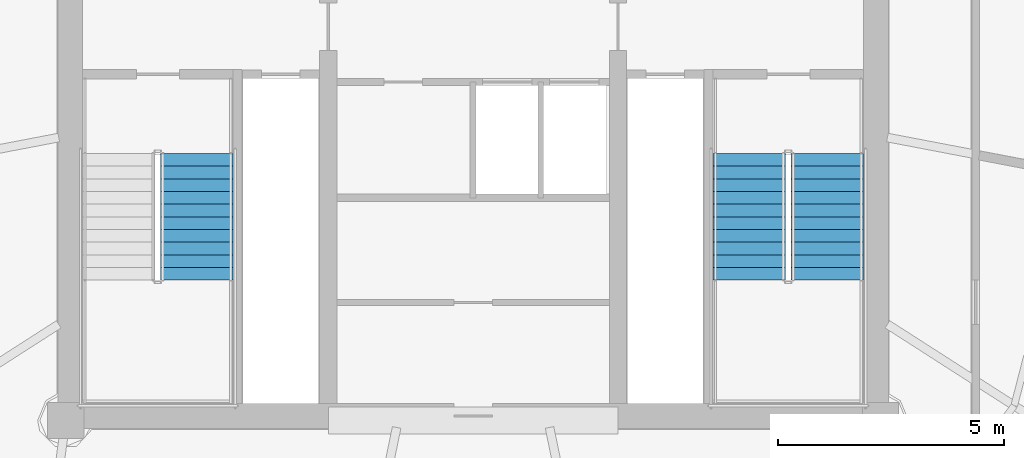
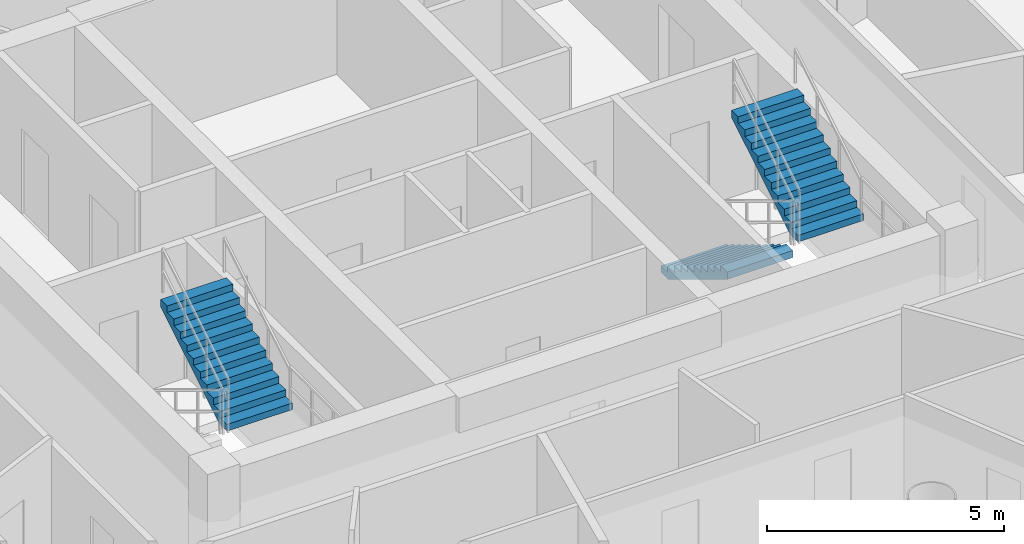
# One storey, part 20 of 23: 3 stair flights, 2 elements without a shape of their own.
"""IFC4 building model written with IfcOpenShell, lengths in metres."""

from ifc_helpers import new_model, si_unit, direction, frame, origin, place, context, subcontext, project, spatial, polyline, outline, extrude, material, type_object, element, aggregate, save


model = new_model("IFC4")

# Units and contexts
model_context = context("Model", 3, precision=1e-05, world=origin(), true_north=direction((-0.2419218956, 0.970295726276)))
body_context = subcontext(model_context, "Body", "Model", "MODEL_VIEW")
ifc_project = project(units=[si_unit("LENGTHUNIT", "METRE"), si_unit("AREAUNIT", "SQUARE_METRE"), si_unit("VOLUMEUNIT", "CUBIC_METRE"), si_unit("PLANEANGLEUNIT", "RADIAN"), si_unit("MASSUNIT", "GRAM", prefix="KILO")], contexts=[model_context])

# Site, building, storey
site_placement = place(None, origin())
site = spatial("IfcSite", under=ifc_project, at=site_placement, CompositionType="ELEMENT")
building_placement = place(site_placement, origin())
building = spatial("IfcBuilding", under=site, at=building_placement, Name="Cobrevalo Terracotta Tower", CompositionType="ELEMENT")
storey_placement = place(building_placement, frame((0.0, 0.0, 266.949951171875)))
storey = spatial("IfcBuildingStorey", under=building, at=storey_placement, Name="L70", CompositionType="ELEMENT", Elevation=266.949951171875)

# Stair, stair flight
ifc_material = material(Name="Concrete C50", Category="concrete")
stair_type = type_object("IfcStairType", Name="Core protected escape dogleg stair 1600", PredefinedType="HALF_TURN_STAIR", material=ifc_material)
stair_1_placement = place(storey_placement, origin())
stair_1 = element("IfcStair", 1, at=stair_1_placement, inside=storey, type_object=stair_type, Name="L70 Protected exit stair ST-1", PredefinedType="HALF_TURN_STAIR")
stair_flight_type = type_object("IfcStairFlightType", Name="Core protected escape dogleg stair 1600 flight", PredefinedType="STRAIGHT", material=ifc_material)
stair_flight_1_placement = place(storey_placement, frame((31.89501953125, 21.89990234375, 1.875), z_axis=(0.0, 0.0, 1.0), x_axis=(0.0, 1.0, 0.0)))
stair_flight_1 = element("IfcStairFlight", 2, at=stair_flight_1_placement, type_object=stair_flight_type, Name="ST-1 flight 2", NumberOfRisers=11, NumberOfTreads=10, PredefinedType="STRAIGHT", RiserHeight=0.170454545, TreadLength=0.28, context=body_context, shape_type="SweptSolid", body=[
    extrude(outline(polyline([(0.0, 0.0), (0.0, 0.17041015625), (0.280029296875, 0.17041015625), (0.280029296875, 0.3408203125), (0.56005859375, 0.3408203125), (0.56005859375, 0.511474609375), (0.840087890625, 0.511474609375), (0.840087890625, 0.681884765625), (1.1201171875, 0.681884765625), (1.1201171875, 0.852294921875), (1.39990234375, 0.852294921875), (1.39990234375, 1.022705078125), (1.679931640625, 1.022705078125), (1.679931640625, 1.193115234375), (1.9599609375, 1.193115234375), (1.9599609375, 1.363525390625), (2.239990234375, 1.363525390625), (2.239990234375, 1.5341796875), (2.52001953125, 1.5341796875), (2.52001953125, 1.70458984375), (2.800048828125, 1.70458984375), (2.800048828125, 1.875), (2.800048828125, 1.517333984375), (0.3076171875, 0.0), (0.0, 0.0)])), frame((0.0, 0.800048828125, 0.0), z_axis=(0.0, -1.0, 0.0), x_axis=(1.0, 0.0, 0.0)), (0.0, 0.0, 1.0), 1.60009765625),
])
aggregate(stair_1, [stair_flight_1])

# Stair, stair flights
stair_2_placement = place(storey_placement, origin())
stair_2 = element("IfcStair", 3, at=stair_2_placement, inside=storey, type_object=stair_type, Name="L70 Protected exit stair ST-2", PredefinedType="HALF_TURN_STAIR")
stair_flight_2_placement = place(storey_placement, frame((44.10498046875, 24.699951171875, 0.0), z_axis=(0.0, 0.0, 1.0), x_axis=(0.0, -1.0, 0.0)))
stair_flight_2 = element("IfcStairFlight", 4, at=stair_flight_2_placement, type_object=stair_flight_type, Name="ST-2 flight 1", NumberOfRisers=11, NumberOfTreads=10, PredefinedType="STRAIGHT", RiserHeight=0.170454545, TreadLength=0.28, context=body_context, shape_type="SweptSolid", body=[
    extrude(outline(polyline([(0.0, 0.0), (0.0, 0.17041015625), (0.280029296875, 0.17041015625), (0.280029296875, 0.3408203125), (0.56005859375, 0.3408203125), (0.56005859375, 0.511474609375), (0.840087890625, 0.511474609375), (0.840087890625, 0.681884765625), (1.1201171875, 0.681884765625), (1.1201171875, 0.852294921875), (1.39990234375, 0.852294921875), (1.39990234375, 1.022705078125), (1.679931640625, 1.022705078125), (1.679931640625, 1.193115234375), (1.9599609375, 1.193115234375), (1.9599609375, 1.363525390625), (2.239990234375, 1.363525390625), (2.239990234375, 1.5341796875), (2.52001953125, 1.5341796875), (2.52001953125, 1.70458984375), (2.800048828125, 1.70458984375), (2.800048828125, 1.875), (2.800048828125, 1.517333984375), (0.3076171875, 0.0), (0.0, 0.0)])), frame((0.0, 0.800048828125, 0.0), z_axis=(0.0, -1.0, 0.0), x_axis=(1.0, 0.0, 0.0)), (0.0, 0.0, 1.0), 1.60009765625),
])
stair_flight_3_placement = place(storey_placement, frame((45.824951171875, 21.89990234375, 1.875), z_axis=(0.0, 0.0, 1.0), x_axis=(0.0, 1.0, 0.0)))
stair_flight_3 = element("IfcStairFlight", 5, at=stair_flight_3_placement, type_object=stair_flight_type, Name="ST-2 flight 2", NumberOfRisers=11, NumberOfTreads=10, PredefinedType="STRAIGHT", RiserHeight=0.170454545, TreadLength=0.28, context=body_context, shape_type="SweptSolid", body=[
    extrude(outline(polyline([(0.0, 0.0), (0.0, 0.17041015625), (0.280029296875, 0.17041015625), (0.280029296875, 0.3408203125), (0.56005859375, 0.3408203125), (0.56005859375, 0.511474609375), (0.840087890625, 0.511474609375), (0.840087890625, 0.681884765625), (1.1201171875, 0.681884765625), (1.1201171875, 0.852294921875), (1.39990234375, 0.852294921875), (1.39990234375, 1.022705078125), (1.679931640625, 1.022705078125), (1.679931640625, 1.193115234375), (1.9599609375, 1.193115234375), (1.9599609375, 1.363525390625), (2.239990234375, 1.363525390625), (2.239990234375, 1.5341796875), (2.52001953125, 1.5341796875), (2.52001953125, 1.70458984375), (2.800048828125, 1.70458984375), (2.800048828125, 1.875), (2.800048828125, 1.517333984375), (0.3076171875, 0.0), (0.0, 0.0)])), frame((0.0, 0.800048828125, 0.0), z_axis=(0.0, -1.0, 0.0), x_axis=(1.0, 0.0, 0.0)), (0.0, 0.0, 1.0), 1.60009765625),
])
aggregate(stair_2, [stair_flight_2, stair_flight_3])

save(model, "model.ifc")
